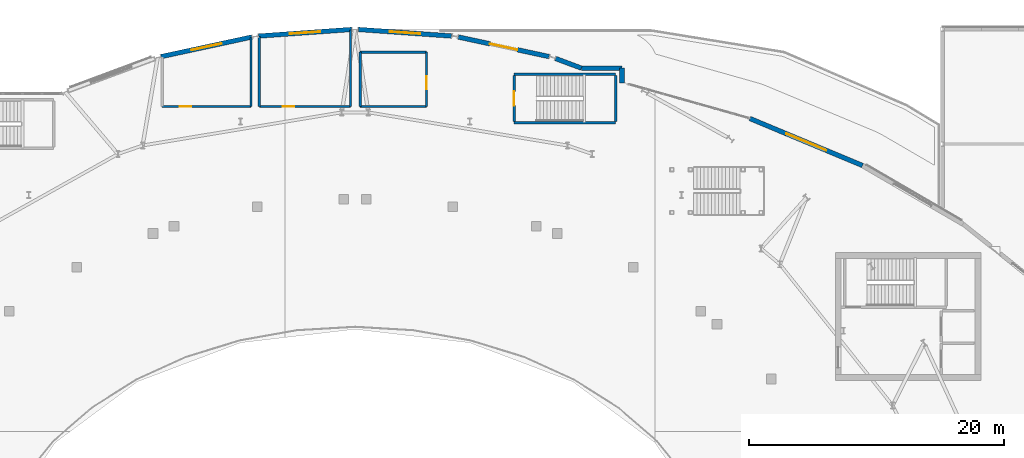
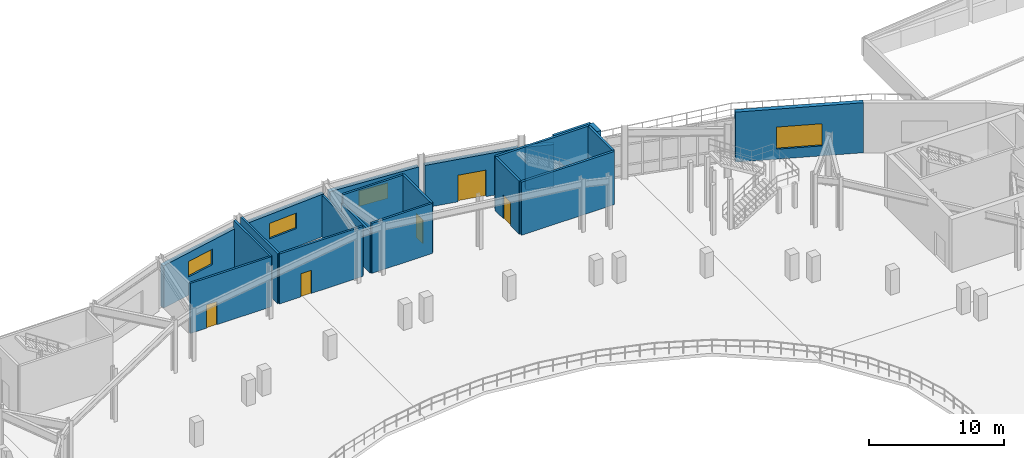
# One storey, part 62 of 84: 21 walls, 5 doors, 4 windows, 9 openings.
"""IFC4 building model written with IfcOpenShell, lengths in metres."""

from ifc_helpers import new_model, si_unit, direction, frame, frame_2d, origin, place, context, subcontext, project, spatial, rectangle, extrude, material, layer, layer_set, type_object, element, fill, save


model = new_model("IFC4")

# Units and contexts
model_context = context("Model", 3, precision=1e-05, world=origin(), true_north=direction((0.0, 1.0)))
body_context = subcontext(model_context, "Body", "Model", "MODEL_VIEW")
ifc_project = project(units=[si_unit("LENGTHUNIT", "METRE"), si_unit("AREAUNIT", "SQUARE_METRE"), si_unit("VOLUMEUNIT", "CUBIC_METRE"), si_unit("PLANEANGLEUNIT", "RADIAN"), si_unit("MASSUNIT", "GRAM", prefix="KILO")], contexts=[model_context])

# Site, building, storey
site_placement = place(None, origin())
site = spatial("IfcSite", under=ifc_project, at=site_placement, CompositionType="ELEMENT")
building_placement = place(site_placement, origin())
building = spatial("IfcBuilding", under=site, at=building_placement, Name="Glasvene Arena", CompositionType="ELEMENT")
storey_placement = place(building_placement, frame((0.0, 0.0, 10.199951171875)))
storey = spatial("IfcBuildingStorey", under=building, at=storey_placement, Name="L02", CompositionType="ELEMENT", Elevation=10.199951171875)

# Wall, opening, window
ifc_material_1 = material(Name="Coursed pale Irish limestone", Category="masonry")
ifc_layer_1 = layer(ifc_material_1, 0.360107421875)
ifc_layer_set_1 = layer_set([ifc_layer_1], Name="Coursed pale Irish limestone")
wall_type_1 = type_object("IfcWallType", Name="WL-EXT-LIM-360", PredefinedType="STANDARD", material=ifc_layer_set_1)
wall_1_placement = place(storey_placement, frame((76.8095703125, 115.853759765625, 0.0), z_axis=(0.0, 0.0, 1.0), x_axis=(0.977443945478, 0.211195012838, 0.0)))
wall_1 = element("IfcWall", 1, at=wall_1_placement, inside=storey, type_object=wall_type_1, Name="External facade wall EW-L02-0132", PredefinedType="STANDARD", context=body_context, shape_type="SweptSolid", body=[
    extrude(rectangle(XDim=7.274658203125, YDim=0.360107421875, at=frame_2d((3.63720703125, 0.0))), origin(), (0.0, 0.0, 1.0), 3.83154296875),
])
opening_1_placement = place(wall_1_placement, frame((2.43701171875, 0.0, 1.64990234375)))
opening_1 = element("IfcOpeningElement", 2, at=opening_1_placement, cuts=wall_1, Name="Opening W-18", PredefinedType="OPENING", context=body_context, shape_type="SweptSolid", body=[
    extrude(rectangle(XDim=2.39990234375, YDim=1.39990234375, at=frame_2d((1.199951171875, 0.699951171875))), frame((0.0, 0.18994140625, 0.0), z_axis=(0.0, -1.0, 0.0), x_axis=(1.0, 0.0, 0.0)), (0.0, 0.0, 1.0), 0.380126953125),
])
ifc_material_2 = material(Name="Low-emissivity laminated double glazing", Category="glass")
window_type_1 = type_object("IfcWindowType", Name="WN-LOUV-240x140", PartitioningType="DOUBLE_PANEL_HORIZONTAL", PredefinedType="WINDOW", material=ifc_material_2)
window_1_placement = place(opening_1_placement, origin())
window_1 = element("IfcWindow", 3, at=window_1_placement, inside=storey, type_object=window_type_1, Name="Facade window WN-LOUV-240x140 L02-0077", OverallHeight=1.39990234375, OverallWidth=2.39990234375, PartitioningType="SINGLE_PANEL", PredefinedType="WINDOW", context=body_context, shape_type="SweptSolid", body=[
    extrude(rectangle(XDim=2.39990234375, YDim=1.39990234375, at=frame_2d((1.199951171875, 0.699951171875))), frame((0.0, 0.030029296875, 0.0), z_axis=(0.0, -1.0, 0.0), x_axis=(1.0, 0.0, 0.0)), (0.0, 0.0, 1.0), 0.06005859375),
])
fill(opening_1, window_1)

wall_2_placement = place(storey_placement, frame((84.443115234375, 117.46484375, 0.0), z_axis=(0.0, 0.0, 1.0), x_axis=(0.99750291648, 0.070625290183, 0.0)))
wall_2 = element("IfcWall", 4, at=wall_2_placement, inside=storey, type_object=wall_type_1, Name="External facade wall EW-L02-0133", PredefinedType="STANDARD", context=body_context, shape_type="SweptSolid", body=[
    extrude(rectangle(XDim=7.311279296875, YDim=0.360107421875, at=frame_2d((3.65576171875, 0.0))), origin(), (0.0, 0.0, 1.0), 3.83154296875),
])
opening_2_placement = place(wall_2_placement, frame((2.4560546875, 0.0, 1.64990234375)))
opening_2 = element("IfcOpeningElement", 5, at=opening_2_placement, cuts=wall_2, Name="Opening W-18", PredefinedType="OPENING", context=body_context, shape_type="SweptSolid", body=[
    extrude(rectangle(XDim=2.39990234375, YDim=1.39990234375, at=frame_2d((1.199951171875, 0.699951171875))), frame((0.0, 0.18994140625, 0.0), z_axis=(0.0, -1.0, 0.0), x_axis=(1.0, 0.0, 0.0)), (0.0, 0.0, 1.0), 0.380126953125),
])
window_2_placement = place(opening_2_placement, origin())
window_2 = element("IfcWindow", 6, at=window_2_placement, inside=storey, type_object=window_type_1, Name="Facade window WN-LOUV-240x140 L02-0078", OverallHeight=1.39990234375, OverallWidth=2.39990234375, PartitioningType="SINGLE_PANEL", PredefinedType="WINDOW", context=body_context, shape_type="SweptSolid", body=[
    extrude(rectangle(XDim=2.39990234375, YDim=1.39990234375, at=frame_2d((1.199951171875, 0.699951171875))), frame((0.0, 0.030029296875, 0.0), z_axis=(0.0, -1.0, 0.0), x_axis=(1.0, 0.0, 0.0)), (0.0, 0.0, 1.0), 0.06005859375),
])
fill(opening_2, window_2)

wall_3_placement = place(storey_placement, frame((92.263916015625, 117.981201171875, 0.0), z_axis=(0.0, 0.0, 1.0), x_axis=(0.99750291648, -0.070625290183, 0.0)))
wall_3 = element("IfcWall", 7, at=wall_3_placement, inside=storey, type_object=wall_type_1, Name="External facade wall EW-L02-0134", PredefinedType="STANDARD", context=body_context, shape_type="SweptSolid", body=[
    extrude(rectangle(XDim=7.311279296875, YDim=0.360107421875, at=frame_2d((3.65576171875, 0.0))), origin(), (0.0, 0.0, 1.0), 3.83154296875),
])
opening_3_placement = place(wall_3_placement, frame((2.4560546875, 0.0, 1.64990234375)))
opening_3 = element("IfcOpeningElement", 8, at=opening_3_placement, cuts=wall_3, Name="Opening W-18", PredefinedType="OPENING", context=body_context, shape_type="SweptSolid", body=[
    extrude(rectangle(XDim=2.39990234375, YDim=1.39990234375, at=frame_2d((1.199951171875, 0.699951171875))), frame((0.0, 0.18994140625, 0.0), z_axis=(0.0, -1.0, 0.0), x_axis=(1.0, 0.0, 0.0)), (0.0, 0.0, 1.0), 0.380126953125),
])
window_3_placement = place(opening_3_placement, origin())
window_3 = element("IfcWindow", 9, at=window_3_placement, inside=storey, type_object=window_type_1, Name="Facade window WN-LOUV-240x140 L02-0079", OverallHeight=1.39990234375, OverallWidth=2.39990234375, PartitioningType="SINGLE_PANEL", PredefinedType="WINDOW", context=body_context, shape_type="SweptSolid", body=[
    extrude(rectangle(XDim=2.39990234375, YDim=1.39990234375, at=frame_2d((1.199951171875, 0.699951171875))), frame((0.0, 0.030029296875, 0.0), z_axis=(0.0, -1.0, 0.0), x_axis=(1.0, 0.0, 0.0)), (0.0, 0.0, 1.0), 0.06005859375),
])
fill(opening_3, window_3)

# Wall, opening, door
wall_4_placement = place(storey_placement, frame((100.079833984375, 117.39013671875, 0.0), z_axis=(0.0, 0.0, 1.0), x_axis=(0.977443945478, -0.211195012838, 0.0)))
wall_4 = element("IfcWall", 10, at=wall_4_placement, inside=storey, type_object=wall_type_1, Name="External facade wall EW-L02-0135", PredefinedType="STANDARD", context=body_context, shape_type="SweptSolid", body=[
    extrude(rectangle(XDim=7.274658203125, YDim=0.360107421875, at=frame_2d((3.63720703125, 0.0))), origin(), (0.0, 0.0, 1.0), 3.83154296875),
])
opening_4_placement = place(wall_4_placement, frame((2.537109375, 0.0, 0.0)))
opening_4 = element("IfcOpeningElement", 11, at=opening_4_placement, cuts=wall_4, Name="Opening TD-220", PredefinedType="OPENING", context=body_context, shape_type="SweptSolid", body=[
    extrude(rectangle(XDim=2.199951171875, YDim=2.39990234375, at=frame_2d((1.10009765625, 1.199951171875))), frame((0.0, 0.18994140625, 0.0), z_axis=(0.0, -1.0, 0.0), x_axis=(1.0, 0.0, 0.0)), (0.0, 0.0, 1.0), 0.380126953125),
])
ifc_material_3 = material(Name="Anodised architectural aluminium", Category="aluminium")
door_type_1 = type_object("IfcDoorType", Name="DR-TERR-2200", OperationType="DOUBLE_DOOR_SINGLE_SWING", PredefinedType="DOOR", material=ifc_material_3)
door_1_placement = place(opening_4_placement, origin())
door_1 = element("IfcDoor", 12, at=door_1_placement, inside=storey, type_object=door_type_1, Name="Terrace lounge glazed exit door TD-L02-01", OperationType="DOUBLE_DOOR_SINGLE_SWING", OverallHeight=2.39990234375, OverallWidth=2.199951171875, PredefinedType="DOOR", context=body_context, shape_type="SweptSolid", body=[
    extrude(rectangle(XDim=2.199951171875, YDim=2.39990234375, at=frame_2d((1.10009765625, 1.199951171875))), frame((0.0, 0.02490234375, 0.0), z_axis=(0.0, -1.0, 0.0), x_axis=(1.0, 0.0, 0.0)), (0.0, 0.0, 1.0), 0.050048828125),
])
fill(opening_4, door_1)

# Walls
wall_5_placement = place(storey_placement, frame((107.6982421875, 115.705322265625, 0.0), z_axis=(0.0, 0.0, 1.0), x_axis=(0.9369864699, -0.349365646887, 0.0)))
element("IfcWall", 13, at=wall_5_placement, inside=storey, type_object=wall_type_1, Name="External facade wall EW-L02-0136", PredefinedType="STANDARD", context=body_context, shape_type="SweptSolid", body=[
    extrude(rectangle(XDim=2.162109375, YDim=0.360107421875, at=frame_2d((1.0810546875, 0.0))), origin(), (0.0, 0.0, 1.0), 3.83154296875),
])
wall_6_placement = place(storey_placement, frame((109.72412109375, 114.949951171875, 0.0), z_axis=(0.0, 0.0, 1.0), x_axis=(1.0, 0.0, 0.0)))
element("IfcWall", 14, at=wall_6_placement, inside=storey, type_object=wall_type_1, Name="External facade wall EW-L02-0137", PredefinedType="STANDARD", context=body_context, shape_type="SweptSolid", body=[
    extrude(rectangle(XDim=3.17578125, YDim=0.360107421875, at=frame_2d((1.587890625, 0.0))), origin(), (0.0, 0.0, 1.0), 4.52001953125),
])
wall_7_placement = place(storey_placement, frame((112.89990234375, 114.949951171875, 0.0), z_axis=(0.0, 0.0, 1.0), x_axis=(0.0, -1.0, 0.0)))
element("IfcWall", 15, at=wall_7_placement, inside=storey, type_object=wall_type_1, Name="External facade wall EW-L02-0138", PredefinedType="STANDARD", context=body_context, shape_type="SweptSolid", body=[
    extrude(rectangle(XDim=1.171630859375, YDim=0.360107421875, at=frame_2d((0.5859375, 0.0))), origin(), (0.0, 0.0, 1.0), 4.52001953125),
])

# Wall, opening, window
wall_8_placement = place(storey_placement, frame((122.91796875, 111.006103515625, 0.0), z_axis=(0.0, 0.0, 1.0), x_axis=(0.922803785232, -0.385270260937, 0.0)))
wall_8 = element("IfcWall", 16, at=wall_8_placement, inside=storey, type_object=wall_type_1, Name="External facade wall EW-L02-0139", PredefinedType="STANDARD", context=body_context, shape_type="SweptSolid", body=[
    extrude(rectangle(XDim=9.5546875, YDim=0.360107421875, at=frame_2d((4.77734375, 0.0))), origin(), (0.0, 0.0, 1.0), 4.52001953125),
])
opening_5_placement = place(wall_8_placement, frame((3.076904296875, 0.0, 0.89990234375)))
opening_5 = element("IfcOpeningElement", 17, at=opening_5_placement, cuts=wall_8, Name="Opening W-06", PredefinedType="OPENING", context=body_context, shape_type="SweptSolid", body=[
    extrude(rectangle(XDim=3.39990234375, YDim=2.0, at=frame_2d((1.699951171875, 1.0))), frame((0.0, 0.18994140625, 0.0), z_axis=(0.0, -1.0, 0.0), x_axis=(1.0, 0.0, 0.0)), (0.0, 0.0, 1.0), 0.380126953125),
])
window_type_2 = type_object("IfcWindowType", Name="WN-CLUB-340x200", PartitioningType="TRIPLE_PANEL_VERTICAL", PredefinedType="WINDOW", material=ifc_material_2)
window_4_placement = place(opening_5_placement, origin())
window_4 = element("IfcWindow", 18, at=window_4_placement, inside=storey, type_object=window_type_2, Name="Facade window WN-CLUB-340x200 L02-0080", OverallHeight=2.0, OverallWidth=3.39990234375, PartitioningType="SINGLE_PANEL", PredefinedType="WINDOW", context=body_context, shape_type="SweptSolid", body=[
    extrude(rectangle(XDim=3.39990234375, YDim=2.0, at=frame_2d((1.699951171875, 1.0))), frame((0.0, 0.030029296875, 0.0), z_axis=(0.0, -1.0, 0.0), x_axis=(1.0, 0.0, 0.0)), (0.0, 0.0, 1.0), 0.06005859375),
])
fill(opening_5, window_4)

# Wall
ifc_material_4 = material(Name="Concrete C40/50", Category="concrete")
ifc_layer_2 = layer(ifc_material_4, 0.199951171875)
ifc_layer_set_2 = layer_set([ifc_layer_2], Name="Concrete C40/50")
wall_type_2 = type_object("IfcWallType", Name="WL-SHAFT-200", PredefinedType="SHEAR", material=ifc_layer_set_2)
wall_9_placement = place(storey_placement, frame((104.449951171875, 110.679931640625, 0.0), z_axis=(0.0, 0.0, 1.0), x_axis=(1.0, 0.0, 0.0)))
element("IfcWall", 19, at=wall_9_placement, inside=storey, type_object=wall_type_2, Name="Escape stair shaft wall ST-11 L02 S", PredefinedType="SHEAR", context=body_context, shape_type="SweptSolid", body=[
    extrude(rectangle(XDim=7.949951171875, YDim=0.199951171875, at=frame_2d((3.97509765625, 0.0))), origin(), (0.0, 0.0, 1.0), 4.800048828125),
])

# Wall, opening, door
wall_10_placement = place(storey_placement, frame((104.449951171875, 110.781982421875, 0.0), z_axis=(0.0, 0.0, 1.0), x_axis=(0.0, 1.0, 0.0)))
wall_10 = element("IfcWall", 20, at=wall_10_placement, inside=storey, type_object=wall_type_2, Name="Escape stair shaft wall ST-11 L02 W", PredefinedType="SHEAR", context=body_context, shape_type="SweptSolid", body=[
    extrude(rectangle(XDim=3.5859375, YDim=0.199951171875, at=frame_2d((1.79296875, 0.0))), origin(), (0.0, 0.0, 1.0), 4.800048828125),
])
opening_6_placement = place(wall_10_placement, frame((1.242919921875, 0.0, 0.0)))
opening_6 = element("IfcOpeningElement", 21, at=opening_6_placement, cuts=wall_10, Name="Opening D-04", PredefinedType="OPENING", context=body_context, shape_type="SweptSolid", body=[
    extrude(rectangle(XDim=1.10009765625, YDim=2.14990234375, at=frame_2d((0.550048828125, 1.074951171875))), frame((0.0, 0.10986328125, 0.0), z_axis=(0.0, -1.0, 0.0), x_axis=(1.0, 0.0, 0.0)), (0.0, 0.0, 1.0), 0.219970703125),
])
ifc_material_5 = material(Name="Painted fire-resisting steel", Category="steel")
door_type_2 = type_object("IfcDoorType", Name="DR-FD60-1100", OperationType="NOTDEFINED", PredefinedType="DOOR", material=ifc_material_5)
door_2_placement = place(opening_6_placement, frame((1.10009765625, 0.0, 0.0), z_axis=(0.0, 0.0, 1.0), x_axis=(-1.0, 0.0, 0.0)))
door_2 = element("IfcDoor", 22, at=door_2_placement, inside=storey, type_object=door_type_2, Name="Protected escape stair door ST-11 L02", OperationType="SINGLE_SWING_LEFT", OverallHeight=2.14990234375, OverallWidth=1.10009765625, PredefinedType="DOOR", context=body_context, shape_type="SweptSolid", body=[
    extrude(rectangle(XDim=1.10009765625, YDim=2.14990234375, at=frame_2d((0.550048828125, 1.074951171875))), frame((0.0, 0.02490234375, 0.0), z_axis=(0.0, -1.0, 0.0), x_axis=(1.0, 0.0, 0.0)), (0.0, 0.0, 1.0), 0.050048828125),
])
fill(opening_6, door_2)

# Walls
wall_11_placement = place(storey_placement, frame((112.39990234375, 110.781982421875, 0.0), z_axis=(0.0, 0.0, 1.0), x_axis=(0.0, 1.0, 0.0)))
element("IfcWall", 23, at=wall_11_placement, inside=storey, type_object=wall_type_2, Name="Escape stair shaft wall ST-11 L02 E", PredefinedType="SHEAR", context=body_context, shape_type="SweptSolid", body=[
    extrude(rectangle(XDim=3.5859375, YDim=0.199951171875, at=frame_2d((1.79296875, 0.0))), origin(), (0.0, 0.0, 1.0), 4.800048828125),
])
wall_12_placement = place(storey_placement, frame((104.449951171875, 114.469970703125, 0.0), z_axis=(0.0, 0.0, 1.0), x_axis=(1.0, 0.0, 0.0)))
element("IfcWall", 24, at=wall_12_placement, inside=storey, type_object=wall_type_2, Name="Escape stair shaft wall ST-11 L02 N", PredefinedType="SHEAR", context=body_context, shape_type="SweptSolid", body=[
    extrude(rectangle(XDim=7.949951171875, YDim=0.199951171875, at=frame_2d((3.97509765625, 0.0))), origin(), (0.0, 0.0, 1.0), 4.800048828125),
])
ifc_material_6 = material(Name="Moisture-resistant masonry blockwork", Category="masonry")
ifc_layer_3 = layer(ifc_material_6, 0.179931640625)
ifc_layer_set_3 = layer_set([ifc_layer_3], Name="Moisture-resistant masonry blockwork")
wall_type_3 = type_object("IfcWallType", Name="WL-WET-180", PredefinedType="PARTITIONING", material=ifc_layer_set_3)
wall_13_placement = place(storey_placement, frame((83.85009765625, 117.335205078125, 0.0), z_axis=(0.0, 0.0, 1.0), x_axis=(0.0, -1.0, 0.0)))
element("IfcWall", 25, at=wall_13_placement, inside=storey, type_object=wall_type_3, Name="Interior partition wall IW-L02-0217 (L02 Public Male WC)", PredefinedType="PARTITIONING", context=body_context, shape_type="SweptSolid", body=[
    extrude(rectangle(XDim=5.38525390625, YDim=0.179931640625, at=frame_2d((2.692626953125, 0.0))), origin(), (0.0, 0.0, 1.0), 4.52001953125),
])

# Wall, opening, door
wall_14_placement = place(storey_placement, frame((83.85009765625, 111.949951171875, 0.0), z_axis=(0.0, 0.0, 1.0), x_axis=(-1.0, 0.0, 0.0)))
wall_14 = element("IfcWall", 26, at=wall_14_placement, inside=storey, type_object=wall_type_3, Name="Interior partition wall IW-L02-0218 (L02 Public Male WC)", PredefinedType="PARTITIONING", context=body_context, shape_type="SweptSolid", body=[
    extrude(rectangle(XDim=6.9501953125, YDim=0.179931640625, at=frame_2d((3.47509765625, 0.0))), origin(), (0.0, 0.0, 1.0), 4.52001953125),
])
opening_7_placement = place(wall_14_placement, frame((4.659912109375, 0.0, 0.0)))
opening_7 = element("IfcOpeningElement", 27, at=opening_7_placement, cuts=wall_14, Name="Opening D-13", PredefinedType="OPENING", context=body_context, shape_type="SweptSolid", body=[
    extrude(rectangle(XDim=0.89990234375, YDim=2.10009765625, at=frame_2d((0.449951171875, 1.050048828125))), frame((0.0, 0.10009765625, 0.0), z_axis=(0.0, -1.0, 0.0), x_axis=(1.0, 0.0, 0.0)), (0.0, 0.0, 1.0), 0.199951171875),
])
ifc_material_7 = material(Name="Moisture-resistant laminate timber", Category="wood")
door_type_3 = type_object("IfcDoorType", Name="DR-WC-900", OperationType="NOTDEFINED", PredefinedType="DOOR", material=ifc_material_7)
door_3_placement = place(opening_7_placement, origin())
door_3 = element("IfcDoor", 28, at=door_3_placement, inside=storey, type_object=door_type_3, Name="Interior door DR-WC-900 (L02 Public Male WC)", OperationType="SINGLE_SWING_LEFT", OverallHeight=2.10009765625, OverallWidth=0.89990234375, PredefinedType="DOOR", context=body_context, shape_type="SweptSolid", body=[
    extrude(rectangle(XDim=0.89990234375, YDim=2.10009765625, at=frame_2d((0.449951171875, 1.050048828125))), frame((0.0, 0.02490234375, 0.0), z_axis=(0.0, -1.0, 0.0), x_axis=(1.0, 0.0, 0.0)), (0.0, 0.0, 1.0), 0.050048828125),
])
fill(opening_7, door_3)

# Wall
wall_15_placement = place(storey_placement, frame((91.64990234375, 117.935302734375, 0.0), z_axis=(0.0, 0.0, 1.0), x_axis=(0.0, -1.0, 0.0)))
element("IfcWall", 29, at=wall_15_placement, inside=storey, type_object=wall_type_3, Name="Interior partition wall IW-L02-0220 (L02 Public Female WC)", PredefinedType="PARTITIONING", context=body_context, shape_type="SweptSolid", body=[
    extrude(rectangle(XDim=5.9853515625, YDim=0.179931640625, at=frame_2d((2.99267578125, 0.0))), origin(), (0.0, 0.0, 1.0), 3.7529296875),
])

# Wall, opening, door
wall_16_placement = place(storey_placement, frame((91.64990234375, 111.949951171875, 0.0), z_axis=(0.0, 0.0, 1.0), x_axis=(-1.0, 0.0, 0.0)))
wall_16 = element("IfcWall", 30, at=wall_16_placement, inside=storey, type_object=wall_type_3, Name="Interior partition wall IW-L02-0221 (L02 Public Female WC)", PredefinedType="PARTITIONING", context=body_context, shape_type="SweptSolid", body=[
    extrude(rectangle(XDim=7.14990234375, YDim=0.179931640625, at=frame_2d((3.574951171875, 0.0))), origin(), (0.0, 0.0, 1.0), 4.52001953125),
])
opening_8_placement = place(wall_16_placement, frame((4.408935546875, 0.0, 0.0)))
opening_8 = element("IfcOpeningElement", 31, at=opening_8_placement, cuts=wall_16, Name="Opening D-13", PredefinedType="OPENING", context=body_context, shape_type="SweptSolid", body=[
    extrude(rectangle(XDim=0.89990234375, YDim=2.10009765625, at=frame_2d((0.449951171875, 1.050048828125))), frame((0.0, 0.10009765625, 0.0), z_axis=(0.0, -1.0, 0.0), x_axis=(1.0, 0.0, 0.0)), (0.0, 0.0, 1.0), 0.199951171875),
])
door_4_placement = place(opening_8_placement, origin())
door_4 = element("IfcDoor", 32, at=door_4_placement, inside=storey, type_object=door_type_3, Name="Interior door DR-WC-900 (L02 Public Female WC)", OperationType="SINGLE_SWING_RIGHT", OverallHeight=2.10009765625, OverallWidth=0.89990234375, PredefinedType="DOOR", context=body_context, shape_type="SweptSolid", body=[
    extrude(rectangle(XDim=0.89990234375, YDim=2.10009765625, at=frame_2d((0.449951171875, 1.050048828125))), frame((0.0, 0.02490234375, 0.0), z_axis=(0.0, -1.0, 0.0), x_axis=(1.0, 0.0, 0.0)), (0.0, 0.0, 1.0), 0.050048828125),
])
fill(opening_8, door_4)

# Wall
wall_17_placement = place(storey_placement, frame((84.5, 111.949951171875, 0.0), z_axis=(0.0, 0.0, 1.0), x_axis=(0.0, 1.0, 0.0)))
element("IfcWall", 33, at=wall_17_placement, inside=storey, type_object=wall_type_3, Name="Interior partition wall IW-L02-0222 (L02 Public Female WC)", PredefinedType="PARTITIONING", context=body_context, shape_type="SweptSolid", body=[
    extrude(rectangle(XDim=5.478759765625, YDim=0.179931640625, at=frame_2d((2.7392578125, 0.0))), origin(), (0.0, 0.0, 1.0), 4.52001953125),
])

# Wall, opening, door
wall_18_placement = place(storey_placement, frame((97.60009765625, 111.949951171875, 0.0), z_axis=(0.0, 0.0, 1.0), x_axis=(0.0, 1.0, 0.0)))
wall_18 = element("IfcWall", 34, at=wall_18_placement, inside=storey, type_object=wall_type_3, Name="Interior partition wall IW-L02-0223 (L02 Accessible WC)", PredefinedType="PARTITIONING", context=body_context, shape_type="SweptSolid", body=[
    extrude(rectangle(XDim=4.25, YDim=0.179931640625, at=frame_2d((2.125, 0.0))), origin(), (0.0, 0.0, 1.0), 4.52001953125),
])
opening_9_placement = place(wall_18_placement, frame((1.35009765625, 0.0, 0.0)))
opening_9 = element("IfcOpeningElement", 35, at=opening_9_placement, cuts=wall_18, Name="Opening D-06", PredefinedType="OPENING", context=body_context, shape_type="SweptSolid", body=[
    extrude(rectangle(XDim=1.0, YDim=2.14990234375, at=frame_2d((0.5, 1.074951171875))), frame((0.0, 0.10009765625, 0.0), z_axis=(0.0, -1.0, 0.0), x_axis=(1.0, 0.0, 0.0)), (0.0, 0.0, 1.0), 0.199951171875),
])
ifc_material_8 = material(Name="European oak fire-resisting timber", Category="wood")
door_type_4 = type_object("IfcDoorType", Name="DR-FD30-1000", OperationType="NOTDEFINED", PredefinedType="DOOR", material=ifc_material_8)
door_5_placement = place(opening_9_placement, origin())
door_5 = element("IfcDoor", 36, at=door_5_placement, inside=storey, type_object=door_type_4, Name="Interior door DR-FD30-1000 (L02 Accessible WC)", OperationType="SINGLE_SWING_LEFT", OverallHeight=2.14990234375, OverallWidth=1.0, PredefinedType="DOOR", context=body_context, shape_type="SweptSolid", body=[
    extrude(rectangle(XDim=1.0, YDim=2.14990234375, at=frame_2d((0.5, 1.074951171875))), frame((0.0, 0.02490234375, 0.0), z_axis=(0.0, -1.0, 0.0), x_axis=(1.0, 0.0, 0.0)), (0.0, 0.0, 1.0), 0.050048828125),
])
fill(opening_9, door_5)

# Walls
wall_19_placement = place(storey_placement, frame((97.60009765625, 116.199951171875, 0.0), z_axis=(0.0, 0.0, 1.0), x_axis=(-1.0, 0.0, 0.0)))
element("IfcWall", 37, at=wall_19_placement, inside=storey, type_object=wall_type_3, Name="Interior partition wall IW-L02-0224 (L02 Accessible WC)", PredefinedType="PARTITIONING", context=body_context, shape_type="SweptSolid", body=[
    extrude(rectangle(XDim=5.2001953125, YDim=0.179931640625, at=frame_2d((2.60009765625, 0.0))), origin(), (0.0, 0.0, 1.0), 4.52001953125),
])
wall_20_placement = place(storey_placement, frame((92.39990234375, 116.199951171875, 0.0), z_axis=(0.0, 0.0, 1.0), x_axis=(0.0, -1.0, 0.0)))
element("IfcWall", 38, at=wall_20_placement, inside=storey, type_object=wall_type_3, Name="Interior partition wall IW-L02-0225 (L02 Accessible WC)", PredefinedType="PARTITIONING", context=body_context, shape_type="SweptSolid", body=[
    extrude(rectangle(XDim=4.25, YDim=0.179931640625, at=frame_2d((2.125, 0.0))), origin(), (0.0, 0.0, 1.0), 3.7529296875),
])
wall_21_placement = place(storey_placement, frame((92.39990234375, 111.949951171875, 0.0), z_axis=(0.0, 0.0, 1.0), x_axis=(1.0, 0.0, 0.0)))
element("IfcWall", 39, at=wall_21_placement, inside=storey, type_object=wall_type_3, Name="Interior partition wall IW-L02-0226 (L02 Accessible WC)", PredefinedType="PARTITIONING", context=body_context, shape_type="SweptSolid", body=[
    extrude(rectangle(XDim=5.2001953125, YDim=0.179931640625, at=frame_2d((2.60009765625, 0.0))), origin(), (0.0, 0.0, 1.0), 4.52001953125),
])

save(model, "model.ifc")
